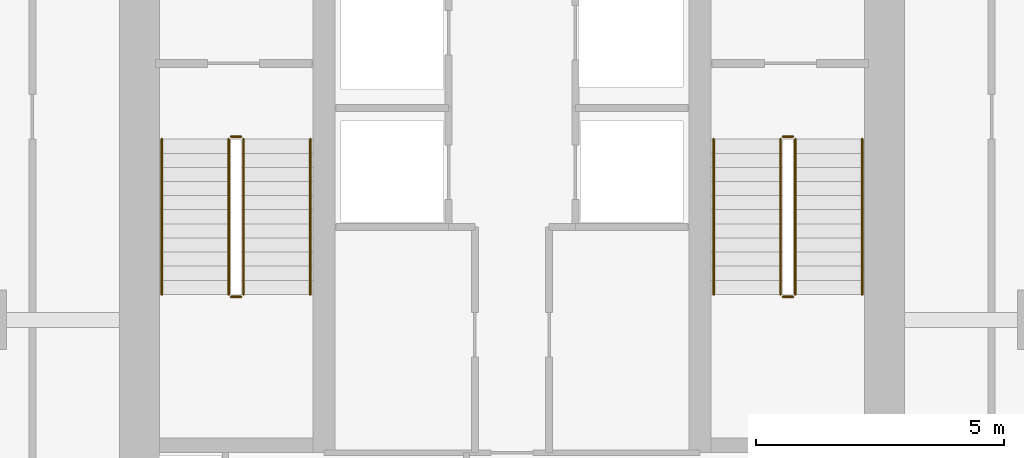
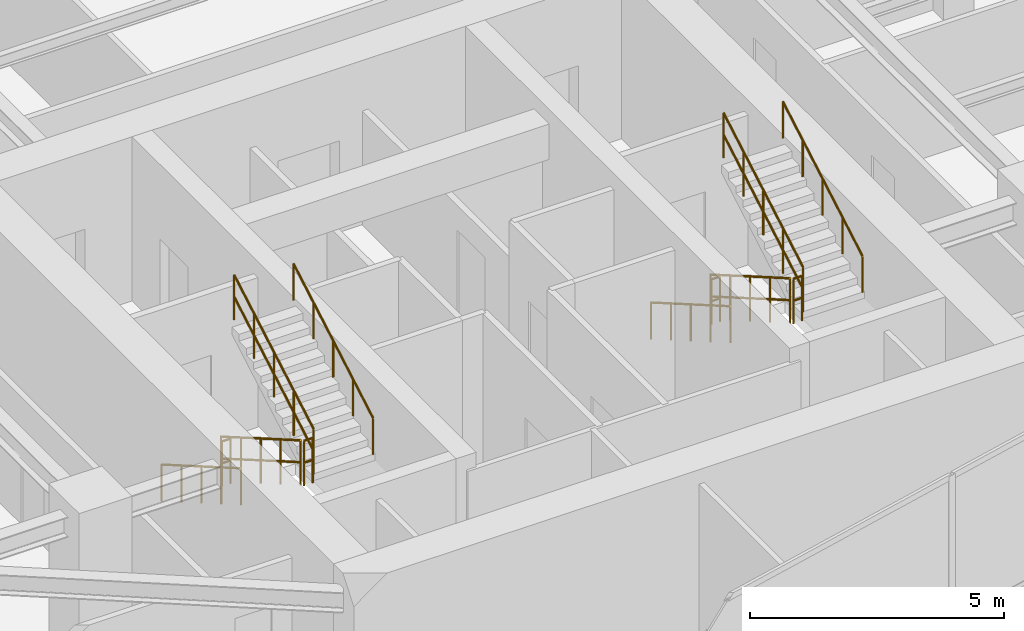
# One storey, part 21 of 22: 12 railings.
"""IFC4 building model written with IfcOpenShell, lengths in metres."""

from ifc_helpers import new_model, si_unit, direction, frame, origin, origin_2d, place, context, subcontext, project, spatial, circle, extrude, material, layer, layer_set, type_object, element, save


model = new_model("IFC4")

# Units and contexts
model_context = context("Model", 3, precision=1e-05, world=origin(), true_north=direction((0.0, 1.0)))
body_context = subcontext(model_context, "Body", "Model", "MODEL_VIEW")
ifc_project = project(units=[si_unit("LENGTHUNIT", "METRE"), si_unit("AREAUNIT", "SQUARE_METRE"), si_unit("VOLUMEUNIT", "CUBIC_METRE"), si_unit("PLANEANGLEUNIT", "RADIAN"), si_unit("MASSUNIT", "GRAM", prefix="KILO")], contexts=[model_context])

# Site, building, storey
site_placement = place(None, origin())
site = spatial("IfcSite", under=ifc_project, at=site_placement, CompositionType="ELEMENT")
building_placement = place(site_placement, origin())
building = spatial("IfcBuilding", under=site, at=building_placement, Name="Krantzveldt Concourse Tower", CompositionType="ELEMENT")
storey_placement = place(building_placement, frame((0.0, 0.0, 359.300048828125)))
storey = spatial("IfcBuildingStorey", under=building, at=storey_placement, Name="L88", CompositionType="ELEMENT", Elevation=359.300048828125)

# Railings
ifc_material = material(Name="Stainless steel 316L", Category="steel")
ifc_layer_1 = layer(ifc_material, 0.06005859375, Name="Stainless steel 316L", Category="steel")
ifc_layer_set_1 = layer_set([ifc_layer_1], Name="Stainless steel 316L (RL-GUARD-1120)")
railing_type_1 = type_object("IfcRailingType", Name="RL-GUARD-1120", PredefinedType="GUARDRAIL", material=ifc_layer_set_1)
railing_1_placement = place(storey_placement, frame((30.280029296875, 19.550048828125, 0.16455078125)))
element("IfcRailing", 1, at=railing_1_placement, inside=storey, type_object=railing_type_1, Name="L88 ST-1 stair guard 1", PredefinedType="GUARDRAIL", context=body_context, shape_type="SweptSolid", body=[
    extrude(circle(Radius=0.02392578125, at=origin_2d()), frame((0.0, 0.0, 1.076171875), z_axis=(0.0, -0.865989039225, 0.500062979975), x_axis=(1.0, 0.0, 0.0)), (0.0, 0.0, 1.0), 3.6201171875),
    extrude(circle(Radius=0.02392578125, at=origin_2d()), frame((0.0, 0.0, 0.550048828125), z_axis=(0.0, -0.865989039225, 0.500062979975), x_axis=(1.0, 0.0, 0.0)), (0.0, 0.0, 1.0), 3.6201171875),
    extrude(circle(Radius=0.02099609375, at=origin_2d()), origin(), (0.0, 0.0, 1.0), 1.052001953125),
    extrude(circle(Radius=0.02099609375, at=origin_2d()), frame((0.0, -0.78369140625, 0.45263671875)), (0.0, 0.0, 1.0), 1.052001953125),
    extrude(circle(Radius=0.02099609375, at=origin_2d()), frame((0.0, -1.5673828125, 0.9052734375)), (0.0, 0.0, 1.0), 1.052001953125),
    extrude(circle(Radius=0.02099609375, at=origin_2d()), frame((0.0, -2.351318359375, 1.357666015625)), (0.0, 0.0, 1.0), 1.052001953125),
    extrude(circle(Radius=0.02099609375, at=origin_2d()), frame((0.0, -3.135009765625, 1.810302734375)), (0.0, 0.0, 1.0), 1.052001953125),
])
railing_2_placement = place(storey_placement, frame((30.330078125, 16.364990234375, 1.974853515625)))
element("IfcRailing", 2, at=railing_2_placement, inside=storey, type_object=railing_type_1, Name="L88 ST-1 stair guard 2", PredefinedType="GUARDRAIL", context=body_context, shape_type="SweptSolid", body=[
    extrude(circle(Radius=0.02392578125, at=origin_2d()), frame((0.0, 0.0, 1.076171875), z_axis=(1.0, 0.0, 0.0), x_axis=(0.0, 1.0, 0.0)), (0.0, 0.0, 1.0), 0.199951171875),
    extrude(circle(Radius=0.02392578125, at=origin_2d()), frame((0.0, 0.0, 0.550048828125), z_axis=(1.0, 0.0, 0.0), x_axis=(0.0, 1.0, 0.0)), (0.0, 0.0, 1.0), 0.199951171875),
    extrude(circle(Radius=0.02099609375, at=origin_2d()), origin(), (0.0, 0.0, 1.0), 1.052001953125),
    extrude(circle(Radius=0.02099609375, at=origin_2d()), frame((0.199951171875, 0.0, 0.0)), (0.0, 0.0, 1.0), 1.052001953125),
])
railing_3_placement = place(storey_placement, frame((30.580078125, 16.4150390625, 2.1396484375)))
element("IfcRailing", 3, at=railing_3_placement, inside=storey, type_object=railing_type_1, Name="L88 ST-1 stair guard 3", PredefinedType="GUARDRAIL", context=body_context, shape_type="SweptSolid", body=[
    extrude(circle(Radius=0.02392578125, at=origin_2d()), frame((0.0, 0.0, 1.076171875), z_axis=(0.0, 0.865989039225, 0.500062979975), x_axis=(-1.0, 0.0, 0.0)), (0.0, 0.0, 1.0), 3.6201171875),
    extrude(circle(Radius=0.02392578125, at=origin_2d()), frame((0.0, 0.0, 0.550048828125), z_axis=(0.0, 0.865989039225, 0.500062979975), x_axis=(-1.0, 0.0, 0.0)), (0.0, 0.0, 1.0), 3.6201171875),
    extrude(circle(Radius=0.02099609375, at=origin_2d()), origin(), (0.0, 0.0, 1.0), 1.052001953125),
    extrude(circle(Radius=0.02099609375, at=origin_2d()), frame((0.0, 0.78369140625, 0.45263671875)), (0.0, 0.0, 1.0), 1.052001953125),
    extrude(circle(Radius=0.02099609375, at=origin_2d()), frame((0.0, 1.5673828125, 0.9052734375)), (0.0, 0.0, 1.0), 1.052001953125),
    extrude(circle(Radius=0.02099609375, at=origin_2d()), frame((0.0, 2.351318359375, 1.357666015625)), (0.0, 0.0, 1.0), 1.052001953125),
    extrude(circle(Radius=0.02099609375, at=origin_2d()), frame((0.0, 3.135009765625, 1.810302734375)), (0.0, 0.0, 1.0), 1.052001953125),
])
railing_4_placement = place(storey_placement, frame((30.330078125, 19.60009765625, 0.0)))
element("IfcRailing", 4, at=railing_4_placement, inside=storey, type_object=railing_type_1, Name="L88 ST-1 stair guard 4", PredefinedType="GUARDRAIL", context=body_context, shape_type="SweptSolid", body=[
    extrude(circle(Radius=0.02392578125, at=origin_2d()), frame((0.0, 0.0, 1.076171875), z_axis=(1.0, 0.0, 0.0), x_axis=(0.0, 1.0, 0.0)), (0.0, 0.0, 1.0), 0.199951171875),
    extrude(circle(Radius=0.02392578125, at=origin_2d()), frame((0.0, 0.0, 0.550048828125), z_axis=(1.0, 0.0, 0.0), x_axis=(0.0, 1.0, 0.0)), (0.0, 0.0, 1.0), 0.199951171875),
    extrude(circle(Radius=0.02099609375, at=origin_2d()), origin(), (0.0, 0.0, 1.0), 1.052001953125),
    extrude(circle(Radius=0.02099609375, at=origin_2d()), frame((0.199951171875, 0.0, 0.0)), (0.0, 0.0, 1.0), 1.052001953125),
])
railing_5_placement = place(storey_placement, frame((41.419921875, 19.550048828125, 0.16455078125)))
element("IfcRailing", 5, at=railing_5_placement, inside=storey, type_object=railing_type_1, Name="L88 ST-2 stair guard 1", PredefinedType="GUARDRAIL", context=body_context, shape_type="SweptSolid", body=[
    extrude(circle(Radius=0.02392578125, at=origin_2d()), frame((0.0, 0.0, 1.076171875), z_axis=(0.0, -0.865989039225, 0.500062979975), x_axis=(1.0, 0.0, 0.0)), (0.0, 0.0, 1.0), 3.6201171875),
    extrude(circle(Radius=0.02392578125, at=origin_2d()), frame((0.0, 0.0, 0.550048828125), z_axis=(0.0, -0.865989039225, 0.500062979975), x_axis=(1.0, 0.0, 0.0)), (0.0, 0.0, 1.0), 3.6201171875),
    extrude(circle(Radius=0.02099609375, at=origin_2d()), origin(), (0.0, 0.0, 1.0), 1.052001953125),
    extrude(circle(Radius=0.02099609375, at=origin_2d()), frame((0.0, -0.78369140625, 0.45263671875)), (0.0, 0.0, 1.0), 1.052001953125),
    extrude(circle(Radius=0.02099609375, at=origin_2d()), frame((0.0, -1.5673828125, 0.9052734375)), (0.0, 0.0, 1.0), 1.052001953125),
    extrude(circle(Radius=0.02099609375, at=origin_2d()), frame((0.0, -2.351318359375, 1.357666015625)), (0.0, 0.0, 1.0), 1.052001953125),
    extrude(circle(Radius=0.02099609375, at=origin_2d()), frame((0.0, -3.135009765625, 1.810302734375)), (0.0, 0.0, 1.0), 1.052001953125),
])
railing_6_placement = place(storey_placement, frame((41.469970703125, 16.364990234375, 1.974853515625)))
element("IfcRailing", 6, at=railing_6_placement, inside=storey, type_object=railing_type_1, Name="L88 ST-2 stair guard 2", PredefinedType="GUARDRAIL", context=body_context, shape_type="SweptSolid", body=[
    extrude(circle(Radius=0.02392578125, at=origin_2d()), frame((0.0, 0.0, 1.076171875), z_axis=(1.0, 0.0, 0.0), x_axis=(0.0, 1.0, 0.0)), (0.0, 0.0, 1.0), 0.199951171875),
    extrude(circle(Radius=0.02392578125, at=origin_2d()), frame((0.0, 0.0, 0.550048828125), z_axis=(1.0, 0.0, 0.0), x_axis=(0.0, 1.0, 0.0)), (0.0, 0.0, 1.0), 0.199951171875),
    extrude(circle(Radius=0.02099609375, at=origin_2d()), origin(), (0.0, 0.0, 1.0), 1.052001953125),
    extrude(circle(Radius=0.02099609375, at=origin_2d()), frame((0.199951171875, 0.0, 0.0)), (0.0, 0.0, 1.0), 1.052001953125),
])
railing_7_placement = place(storey_placement, frame((41.719970703125, 16.4150390625, 2.1396484375)))
element("IfcRailing", 7, at=railing_7_placement, inside=storey, type_object=railing_type_1, Name="L88 ST-2 stair guard 3", PredefinedType="GUARDRAIL", context=body_context, shape_type="SweptSolid", body=[
    extrude(circle(Radius=0.02392578125, at=origin_2d()), frame((0.0, 0.0, 1.076171875), z_axis=(0.0, 0.865989039225, 0.500062979975), x_axis=(-1.0, 0.0, 0.0)), (0.0, 0.0, 1.0), 3.6201171875),
    extrude(circle(Radius=0.02392578125, at=origin_2d()), frame((0.0, 0.0, 0.550048828125), z_axis=(0.0, 0.865989039225, 0.500062979975), x_axis=(-1.0, 0.0, 0.0)), (0.0, 0.0, 1.0), 3.6201171875),
    extrude(circle(Radius=0.02099609375, at=origin_2d()), origin(), (0.0, 0.0, 1.0), 1.052001953125),
    extrude(circle(Radius=0.02099609375, at=origin_2d()), frame((0.0, 0.78369140625, 0.45263671875)), (0.0, 0.0, 1.0), 1.052001953125),
    extrude(circle(Radius=0.02099609375, at=origin_2d()), frame((0.0, 1.5673828125, 0.9052734375)), (0.0, 0.0, 1.0), 1.052001953125),
    extrude(circle(Radius=0.02099609375, at=origin_2d()), frame((0.0, 2.351318359375, 1.357666015625)), (0.0, 0.0, 1.0), 1.052001953125),
    extrude(circle(Radius=0.02099609375, at=origin_2d()), frame((0.0, 3.135009765625, 1.810302734375)), (0.0, 0.0, 1.0), 1.052001953125),
])
railing_8_placement = place(storey_placement, frame((41.469970703125, 19.60009765625, 0.0)))
element("IfcRailing", 8, at=railing_8_placement, inside=storey, type_object=railing_type_1, Name="L88 ST-2 stair guard 4", PredefinedType="GUARDRAIL", context=body_context, shape_type="SweptSolid", body=[
    extrude(circle(Radius=0.02392578125, at=origin_2d()), frame((0.0, 0.0, 1.076171875), z_axis=(1.0, 0.0, 0.0), x_axis=(0.0, 1.0, 0.0)), (0.0, 0.0, 1.0), 0.199951171875),
    extrude(circle(Radius=0.02392578125, at=origin_2d()), frame((0.0, 0.0, 0.550048828125), z_axis=(1.0, 0.0, 0.0), x_axis=(0.0, 1.0, 0.0)), (0.0, 0.0, 1.0), 0.199951171875),
    extrude(circle(Radius=0.02099609375, at=origin_2d()), origin(), (0.0, 0.0, 1.0), 1.052001953125),
    extrude(circle(Radius=0.02099609375, at=origin_2d()), frame((0.199951171875, 0.0, 0.0)), (0.0, 0.0, 1.0), 1.052001953125),
])
ifc_layer_2 = layer(ifc_material, 0.050048828125, Name="Stainless steel 316L", Category="steel")
ifc_layer_set_2 = layer_set([ifc_layer_2], Name="Stainless steel 316L (RL-HANDRAIL-920)")
railing_type_2 = type_object("IfcRailingType", Name="RL-HANDRAIL-920", PredefinedType="HANDRAIL", material=ifc_layer_set_2)
railing_9_placement = place(storey_placement, frame((28.929931640625, 19.550048828125, 0.16455078125)))
element("IfcRailing", 9, at=railing_9_placement, inside=storey, type_object=railing_type_2, Name="L88 ST-1 stair handrail 1", PredefinedType="HANDRAIL", context=body_context, shape_type="SweptSolid", body=[
    extrude(circle(Radius=0.02392578125, at=origin_2d()), frame((0.0, 0.0, 0.8759765625), z_axis=(0.0, -0.865989039225, 0.500062979975), x_axis=(1.0, 0.0, 0.0)), (0.0, 0.0, 1.0), 3.6201171875),
    extrude(circle(Radius=0.02099609375, at=origin_2d()), origin(), (0.0, 0.0, 1.0), 0.851806640625),
    extrude(circle(Radius=0.02099609375, at=origin_2d()), frame((0.0, -0.78369140625, 0.45263671875)), (0.0, 0.0, 1.0), 0.851806640625),
    extrude(circle(Radius=0.02099609375, at=origin_2d()), frame((0.0, -1.5673828125, 0.9052734375)), (0.0, 0.0, 1.0), 0.851806640625),
    extrude(circle(Radius=0.02099609375, at=origin_2d()), frame((0.0, -2.351318359375, 1.357666015625)), (0.0, 0.0, 1.0), 0.851806640625),
    extrude(circle(Radius=0.02099609375, at=origin_2d()), frame((0.0, -3.135009765625, 1.810302734375)), (0.0, 0.0, 1.0), 0.851806640625),
])
railing_10_placement = place(storey_placement, frame((31.929931640625, 16.4150390625, 2.1396484375)))
element("IfcRailing", 10, at=railing_10_placement, inside=storey, type_object=railing_type_2, Name="L88 ST-1 stair handrail 2", PredefinedType="HANDRAIL", context=body_context, shape_type="SweptSolid", body=[
    extrude(circle(Radius=0.02392578125, at=origin_2d()), frame((0.0, 0.0, 0.8759765625), z_axis=(0.0, 0.865989039225, 0.500062979975), x_axis=(-1.0, 0.0, 0.0)), (0.0, 0.0, 1.0), 3.6201171875),
    extrude(circle(Radius=0.02099609375, at=origin_2d()), origin(), (0.0, 0.0, 1.0), 0.851806640625),
    extrude(circle(Radius=0.02099609375, at=origin_2d()), frame((0.0, 0.78369140625, 0.45263671875)), (0.0, 0.0, 1.0), 0.851806640625),
    extrude(circle(Radius=0.02099609375, at=origin_2d()), frame((0.0, 1.5673828125, 0.9052734375)), (0.0, 0.0, 1.0), 0.851806640625),
    extrude(circle(Radius=0.02099609375, at=origin_2d()), frame((0.0, 2.351318359375, 1.357666015625)), (0.0, 0.0, 1.0), 0.851806640625),
    extrude(circle(Radius=0.02099609375, at=origin_2d()), frame((0.0, 3.135009765625, 1.810302734375)), (0.0, 0.0, 1.0), 0.851806640625),
])
railing_11_placement = place(storey_placement, frame((40.070068359375, 19.550048828125, 0.16455078125)))
element("IfcRailing", 11, at=railing_11_placement, inside=storey, type_object=railing_type_2, Name="L88 ST-2 stair handrail 1", PredefinedType="HANDRAIL", context=body_context, shape_type="SweptSolid", body=[
    extrude(circle(Radius=0.02392578125, at=origin_2d()), frame((0.0, 0.0, 0.8759765625), z_axis=(0.0, -0.865989039225, 0.500062979975), x_axis=(1.0, 0.0, 0.0)), (0.0, 0.0, 1.0), 3.6201171875),
    extrude(circle(Radius=0.02099609375, at=origin_2d()), origin(), (0.0, 0.0, 1.0), 0.851806640625),
    extrude(circle(Radius=0.02099609375, at=origin_2d()), frame((0.0, -0.78369140625, 0.45263671875)), (0.0, 0.0, 1.0), 0.851806640625),
    extrude(circle(Radius=0.02099609375, at=origin_2d()), frame((0.0, -1.5673828125, 0.9052734375)), (0.0, 0.0, 1.0), 0.851806640625),
    extrude(circle(Radius=0.02099609375, at=origin_2d()), frame((0.0, -2.351318359375, 1.357666015625)), (0.0, 0.0, 1.0), 0.851806640625),
    extrude(circle(Radius=0.02099609375, at=origin_2d()), frame((0.0, -3.135009765625, 1.810302734375)), (0.0, 0.0, 1.0), 0.851806640625),
])
railing_12_placement = place(storey_placement, frame((43.070068359375, 16.4150390625, 2.1396484375)))
element("IfcRailing", 12, at=railing_12_placement, inside=storey, type_object=railing_type_2, Name="L88 ST-2 stair handrail 2", PredefinedType="HANDRAIL", context=body_context, shape_type="SweptSolid", body=[
    extrude(circle(Radius=0.02392578125, at=origin_2d()), frame((0.0, 0.0, 0.8759765625), z_axis=(0.0, 0.865989039225, 0.500062979975), x_axis=(-1.0, 0.0, 0.0)), (0.0, 0.0, 1.0), 3.6201171875),
    extrude(circle(Radius=0.02099609375, at=origin_2d()), origin(), (0.0, 0.0, 1.0), 0.851806640625),
    extrude(circle(Radius=0.02099609375, at=origin_2d()), frame((0.0, 0.78369140625, 0.45263671875)), (0.0, 0.0, 1.0), 0.851806640625),
    extrude(circle(Radius=0.02099609375, at=origin_2d()), frame((0.0, 1.5673828125, 0.9052734375)), (0.0, 0.0, 1.0), 0.851806640625),
    extrude(circle(Radius=0.02099609375, at=origin_2d()), frame((0.0, 2.351318359375, 1.357666015625)), (0.0, 0.0, 1.0), 0.851806640625),
    extrude(circle(Radius=0.02099609375, at=origin_2d()), frame((0.0, 3.135009765625, 1.810302734375)), (0.0, 0.0, 1.0), 0.851806640625),
])

save(model, "model.ifc")
